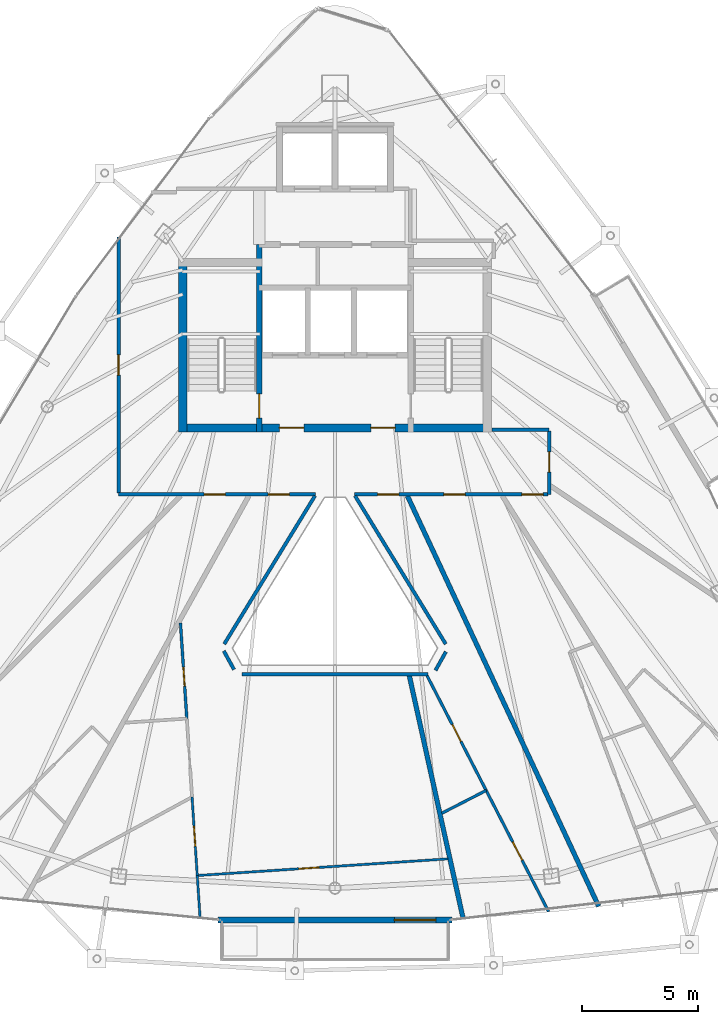
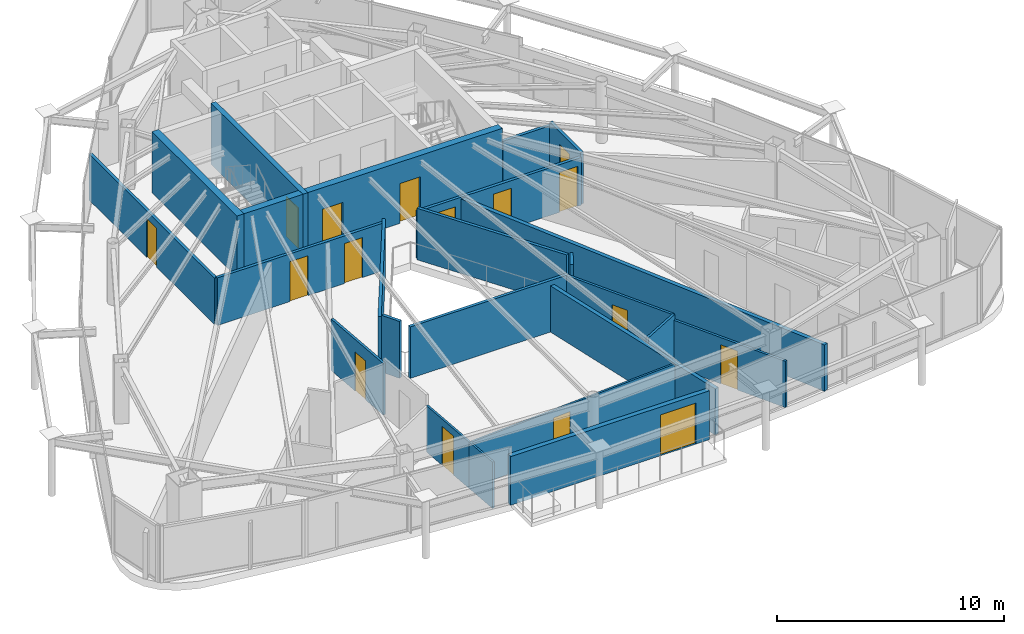
# One storey, part 25 of 29: 23 walls, 16 doors, 16 openings.
"""IFC4 building model written with IfcOpenShell, lengths in metres."""

from ifc_helpers import new_model, si_unit, direction, frame, frame_2d, origin, place, context, subcontext, project, spatial, rectangle, extrude, material, layer, layer_set, type_object, element, fill, save


model = new_model("IFC4")

# Units and contexts
model_context = context("Model", 3, precision=1e-05, world=origin(), true_north=direction((0.0, 1.0)))
body_context = subcontext(model_context, "Body", "Model", "MODEL_VIEW")
ifc_project = project(units=[si_unit("LENGTHUNIT", "METRE"), si_unit("AREAUNIT", "SQUARE_METRE"), si_unit("VOLUMEUNIT", "CUBIC_METRE"), si_unit("PLANEANGLEUNIT", "RADIAN"), si_unit("MASSUNIT", "GRAM", prefix="KILO")], contexts=[model_context])

# Site, building, storey
site_placement = place(None, origin())
site = spatial("IfcSite", under=ifc_project, at=site_placement, CompositionType="ELEMENT")
building_placement = place(site_placement, origin())
building = spatial("IfcBuilding", under=site, at=building_placement, Name="Orvanel Arch Residences", CompositionType="ELEMENT")
storey_placement = place(building_placement, frame((0.0, 0.0, 256.85009765625)))
storey = spatial("IfcBuildingStorey", under=building, at=storey_placement, Name="L73", CompositionType="ELEMENT", Elevation=256.85009765625)

# Wall, opening, door
ifc_material_1 = material(Name="Precast concrete N50 (50 MPa)", Category="concrete")
ifc_layer_1 = layer(ifc_material_1, 0.239990234375)
ifc_layer_set_1 = layer_set([ifc_layer_1], Name="Precast concrete N50 (50 MPa)")
wall_type_1 = type_object("IfcWallType", Name="EW-BAL-240", PredefinedType="SOLIDWALL", material=ifc_layer_set_1)
wall_1_placement = place(storey_placement, frame((27.94091796875, 5.469970703125, 0.0), z_axis=(0.0, 0.0, 1.0), x_axis=(1.0, 0.0, 0.0)))
wall_1 = element("IfcWall", 1, at=wall_1_placement, inside=storey, type_object=wall_type_1, Name="L73 Balcony Threshold Wall Face 2", PredefinedType="SOLIDWALL", context=body_context, shape_type="SweptSolid", body=[
    extrude(rectangle(XDim=10.1181640625, YDim=0.239990234375, at=frame_2d((5.05908203125, 0.0))), origin(), (0.0, 0.0, 1.0), 2.6240234375),
])
opening_1_placement = place(wall_1_placement, frame((7.6201171875, 0.0, 0.0)))
opening_1 = element("IfcOpeningElement", 2, at=opening_1_placement, cuts=wall_1, Name="Opening DB-180", PredefinedType="OPENING", context=body_context, shape_type="SweptSolid", body=[
    extrude(rectangle(XDim=1.800048828125, YDim=2.199951171875, at=frame_2d((0.89990234375, 1.10009765625))), frame((0.0, 0.1298828125, 0.0), z_axis=(0.0, -1.0, 0.0), x_axis=(1.0, 0.0, 0.0)), (0.0, 0.0, 1.0), 0.260009765625),
])
ifc_material_2 = material(Name="Bronze-anodised aluminium AA6063-T6", Category="aluminium")
door_type_1 = type_object("IfcDoorType", Name="DR-BAL-1800", OperationType="NOTDEFINED", PredefinedType="DOOR", material=ifc_material_2)
door_1_placement = place(opening_1_placement, origin())
door_1 = element("IfcDoor", 3, at=door_1_placement, inside=storey, type_object=door_type_1, Name="DR-L73-BAL-F2 L73 Planted Balcony Access Door Face 2", OperationType="SINGLE_SWING_LEFT", OverallHeight=2.199951171875, OverallWidth=1.800048828125, PredefinedType="DOOR", context=body_context, shape_type="SweptSolid", body=[
    extrude(rectangle(XDim=1.800048828125, YDim=2.199951171875, at=frame_2d((0.89990234375, 1.10009765625))), frame((0.0, 0.02490234375, 0.0), z_axis=(0.0, -1.0, 0.0), x_axis=(1.0, 0.0, 0.0)), (0.0, 0.0, 1.0), 0.050048828125),
])
fill(opening_1, door_1)

ifc_material_3 = material(Name="Concrete N50 (50 MPa)", Category="concrete")
ifc_layer_2 = layer(ifc_material_3, 0.25)
ifc_layer_set_2 = layer_set([ifc_layer_2], Name="Concrete N50 (50 MPa)")
wall_type_2 = type_object("IfcWallType", Name="SW-CORE-250", PredefinedType="SHEAR", material=ifc_layer_set_2)
wall_2_placement = place(storey_placement, frame((29.72509765625, 26.550048828125, 0.0), z_axis=(0.0, 0.0, 1.0), x_axis=(0.0, 1.0, 0.0)))
wall_2 = element("IfcWall", 4, at=wall_2_placement, inside=storey, type_object=wall_type_2, Name="L73 West Inner Core Spine Shear Wall", PredefinedType="SHEAR", context=body_context, shape_type="SweptSolid", body=[
    extrude(rectangle(XDim=8.099853515625, YDim=0.25, at=frame_2d((4.0498046875, 0.0))), origin(), (0.0, 0.0, 1.0), 3.2998046875),
])
opening_2_placement = place(wall_2_placement, frame((0.60009765625, 0.0, 0.0)))
opening_2 = element("IfcOpeningElement", 5, at=opening_2_placement, cuts=wall_2, Name="Opening DF-120", PredefinedType="OPENING", context=body_context, shape_type="SweptSolid", body=[
    extrude(rectangle(XDim=1.050048828125, YDim=2.14990234375, at=frame_2d((0.52490234375, 1.074951171875))), frame((0.0, 0.135009765625, 0.0), z_axis=(0.0, -1.0, 0.0), x_axis=(1.0, 0.0, 0.0)), (0.0, 0.0, 1.0), 0.27001953125),
])
ifc_material_4 = material(Name="Galvanised steel fire-resisting door assembly", Category="steel")
door_type_2 = type_object("IfcDoorType", Name="DR-FD120-1050", OperationType="NOTDEFINED", PredefinedType="DOOR", material=ifc_material_4)
door_2_placement = place(opening_2_placement, origin())
door_2 = element("IfcDoor", 6, at=door_2_placement, inside=storey, type_object=door_type_2, Name="DR-L73-ST1 L73 Stair 1 Fire Door", OperationType="SINGLE_SWING_LEFT", OverallHeight=2.14990234375, OverallWidth=1.050048828125, PredefinedType="DOOR", context=body_context, shape_type="SweptSolid", body=[
    extrude(rectangle(XDim=1.050048828125, YDim=2.14990234375, at=frame_2d((0.52490234375, 1.074951171875))), frame((0.0, 0.02490234375, 0.0), z_axis=(0.0, -1.0, 0.0), x_axis=(1.0, 0.0, 0.0)), (0.0, 0.0, 1.0), 0.050048828125),
])
fill(opening_2, door_2)

# Wall, openings, doors
ifc_layer_3 = layer(ifc_material_3, 0.35009765625)
ifc_layer_set_3 = layer_set([ifc_layer_3], Name="Concrete N50 (50 MPa)")
wall_type_3 = type_object("IfcWallType", Name="SW-CORE-350", PredefinedType="SHEAR", material=ifc_layer_set_3)
wall_3_placement = place(storey_placement, frame((26.25, 26.72509765625, 0.0), z_axis=(0.0, 0.0, 1.0), x_axis=(1.0, 0.0, 0.0)))
wall_3 = element("IfcWall", 7, at=wall_3_placement, inside=storey, type_object=wall_type_3, Name="L73 South Core Shear Wall", PredefinedType="SHEAR", context=body_context, shape_type="SweptSolid", body=[
    extrude(rectangle(XDim=13.5, YDim=0.35009765625, at=frame_2d((6.75, 0.0))), origin(), (0.0, 0.0, 1.0), 3.2998046875),
])
opening_3_placement = place(wall_3_placement, frame((4.35009765625, 0.0, 0.0)))
opening_3 = element("IfcOpeningElement", 8, at=opening_3_placement, cuts=wall_3, Name="Opening DF-060", PredefinedType="OPENING", context=body_context, shape_type="SweptSolid", body=[
    extrude(rectangle(XDim=1.050048828125, YDim=2.14990234375, at=frame_2d((0.52490234375, 1.074951171875))), frame((0.0, 0.18505859375, 0.0), z_axis=(0.0, -1.0, 0.0), x_axis=(1.0, 0.0, 0.0)), (0.0, 0.0, 1.0), 0.3701171875),
])
opening_4_placement = place(wall_3_placement, frame((8.300048828125, 0.0, 0.0)))
opening_4 = element("IfcOpeningElement", 9, at=opening_4_placement, cuts=wall_3, Name="Opening DF-060", PredefinedType="OPENING", context=body_context, shape_type="SweptSolid", body=[
    extrude(rectangle(XDim=1.050048828125, YDim=2.14990234375, at=frame_2d((0.52490234375, 1.074951171875))), frame((0.0, 0.18505859375, 0.0), z_axis=(0.0, -1.0, 0.0), x_axis=(1.0, 0.0, 0.0)), (0.0, 0.0, 1.0), 0.3701171875),
])
door_type_3 = type_object("IfcDoorType", Name="DR-FD60-1050", OperationType="NOTDEFINED", PredefinedType="DOOR", material=ifc_material_4)
door_3_placement = place(opening_3_placement, origin())
door_3 = element("IfcDoor", 10, at=door_3_placement, inside=storey, type_object=door_type_3, Name="DR-L73-FFL-W L73 West Smoke Lobby Door", OperationType="SINGLE_SWING_LEFT", OverallHeight=2.14990234375, OverallWidth=1.050048828125, PredefinedType="DOOR", context=body_context, shape_type="SweptSolid", body=[
    extrude(rectangle(XDim=1.050048828125, YDim=2.14990234375, at=frame_2d((0.52490234375, 1.074951171875))), frame((0.0, 0.02490234375, 0.0), z_axis=(0.0, -1.0, 0.0), x_axis=(1.0, 0.0, 0.0)), (0.0, 0.0, 1.0), 0.050048828125),
])
fill(opening_3, door_3)
door_4_placement = place(opening_4_placement, origin())
door_4 = element("IfcDoor", 11, at=door_4_placement, inside=storey, type_object=door_type_3, Name="DR-L73-FFL-E L73 East Smoke Lobby Door", OperationType="SINGLE_SWING_RIGHT", OverallHeight=2.14990234375, OverallWidth=1.050048828125, PredefinedType="DOOR", context=body_context, shape_type="SweptSolid", body=[
    extrude(rectangle(XDim=1.050048828125, YDim=2.14990234375, at=frame_2d((0.52490234375, 1.074951171875))), frame((0.0, 0.02490234375, 0.0), z_axis=(0.0, -1.0, 0.0), x_axis=(1.0, 0.0, 0.0)), (0.0, 0.0, 1.0), 0.050048828125),
])
fill(opening_4, door_4)

# Wall
wall_4_placement = place(storey_placement, frame((26.425048828125, 26.550048828125, 0.0), z_axis=(0.0, 0.0, 1.0), x_axis=(0.0, 1.0, 0.0)))
element("IfcWall", 12, at=wall_4_placement, inside=storey, type_object=wall_type_3, Name="L73 West Stair Shear Wall", PredefinedType="SHEAR", context=body_context, shape_type="SweptSolid", body=[
    extrude(rectangle(XDim=7.5, YDim=0.35009765625, at=frame_2d((3.75, 0.0))), origin(), (0.0, 0.0, 1.0), 3.2998046875),
])

# Wall, openings, doors
ifc_material_5 = material(Name="Fire-rated plasterboard lined steel stud partition", Category="steel")
ifc_layer_4 = layer(ifc_material_5, 0.14990234375)
ifc_layer_set_4 = layer_set([ifc_layer_4], Name="Fire-rated plasterboard lined steel stud partition")
wall_type_4 = type_object("IfcWallType", Name="W-COR-150", PredefinedType="PARTITIONING", material=ifc_layer_set_4)
wall_5_placement = place(storey_placement, frame((32.1650390625, 23.85009765625, 0.0), z_axis=(0.0, 0.0, 1.0), x_axis=(-1.0, 0.0, 0.0)))
wall_5 = element("IfcWall", 13, at=wall_5_placement, inside=storey, type_object=wall_type_4, Name="L73 Corridor Fire-Rated Partition", PredefinedType="PARTITIONING", context=body_context, shape_type="SweptSolid", body=[
    extrude(rectangle(XDim=8.51513671875, YDim=0.14990234375, at=frame_2d((4.257568359375, 0.0))), origin(), (0.0, 0.0, 1.0), 2.56494140625),
])
opening_5_placement = place(wall_5_placement, frame((1.133056640625, 0.0, 0.0)))
opening_5 = element("IfcOpeningElement", 14, at=opening_5_placement, cuts=wall_5, Name="Opening DA-092", PredefinedType="OPENING", context=body_context, shape_type="SweptSolid", body=[
    extrude(rectangle(XDim=0.919921875, YDim=2.14990234375, at=frame_2d((0.4599609375, 1.074951171875))), frame((0.0, 0.0849609375, 0.0), z_axis=(0.0, -1.0, 0.0), x_axis=(1.0, 0.0, 0.0)), (0.0, 0.0, 1.0), 0.169921875),
])
opening_6_placement = place(wall_5_placement, frame((3.89599609375, 0.0, 0.0)))
opening_6 = element("IfcOpeningElement", 15, at=opening_6_placement, cuts=wall_5, Name="Opening DA-092", PredefinedType="OPENING", context=body_context, shape_type="SweptSolid", body=[
    extrude(rectangle(XDim=0.919921875, YDim=2.14990234375, at=frame_2d((0.4599609375, 1.074951171875))), frame((0.0, 0.0849609375, 0.0), z_axis=(0.0, -1.0, 0.0), x_axis=(1.0, 0.0, 0.0)), (0.0, 0.0, 1.0), 0.169921875),
])
ifc_material_6 = material(Name="Solid-core European oak veneer fire door leaf", Category="wood")
door_type_4 = type_object("IfcDoorType", Name="DR-APT-920", OperationType="NOTDEFINED", PredefinedType="DOOR", material=ifc_material_6)
door_5_placement = place(opening_5_placement, origin())
door_5 = element("IfcDoor", 16, at=door_5_placement, inside=storey, type_object=door_type_4, Name="DR-L73-A-ENT L73 Studio A Entrance Door", OperationType="SINGLE_SWING_RIGHT", OverallHeight=2.14990234375, OverallWidth=0.919921875, PredefinedType="DOOR", context=body_context, shape_type="SweptSolid", body=[
    extrude(rectangle(XDim=0.919921875, YDim=2.14990234375, at=frame_2d((0.4599609375, 1.074951171875))), frame((0.0, 0.02490234375, 0.0), z_axis=(0.0, -1.0, 0.0), x_axis=(1.0, 0.0, 0.0)), (0.0, 0.0, 1.0), 0.050048828125),
])
fill(opening_5, door_5)
door_6_placement = place(opening_6_placement, origin())
door_6 = element("IfcDoor", 17, at=door_6_placement, inside=storey, type_object=door_type_4, Name="DR-L73-D-ENT L73 Studio D Entrance Door", OperationType="SINGLE_SWING_LEFT", OverallHeight=2.14990234375, OverallWidth=0.919921875, PredefinedType="DOOR", context=body_context, shape_type="SweptSolid", body=[
    extrude(rectangle(XDim=0.919921875, YDim=2.14990234375, at=frame_2d((0.4599609375, 1.074951171875))), frame((0.0, 0.02490234375, 0.0), z_axis=(0.0, -1.0, 0.0), x_axis=(1.0, 0.0, 0.0)), (0.0, 0.0, 1.0), 0.050048828125),
])
fill(opening_6, door_6)

# Wall, opening, door
wall_6_placement = place(storey_placement, frame((23.64990234375, 23.909912109375, 0.0), z_axis=(0.0, 0.0, 1.0), x_axis=(0.0, 1.0, 0.0)))
wall_6 = element("IfcWall", 18, at=wall_6_placement, inside=storey, type_object=wall_type_4, Name="L73 Corridor Fire-Rated Partition", PredefinedType="PARTITIONING", context=body_context, shape_type="SweptSolid", body=[
    extrude(rectangle(XDim=11.05908203125, YDim=0.14990234375, at=frame_2d((5.529541015625, 0.0))), origin(), (0.0, 0.0, 1.0), 2.491943359375),
])
opening_7_placement = place(wall_6_placement, frame((5.090087890625, 0.0, 0.0)))
opening_7 = element("IfcOpeningElement", 19, at=opening_7_placement, cuts=wall_6, Name="Opening DI-088", PredefinedType="OPENING", context=body_context, shape_type="SweptSolid", body=[
    extrude(rectangle(XDim=0.8798828125, YDim=2.10009765625, at=frame_2d((0.43994140625, 1.050048828125))), frame((0.0, 0.0849609375, 0.0), z_axis=(0.0, -1.0, 0.0), x_axis=(1.0, 0.0, 0.0)), (0.0, 0.0, 1.0), 0.169921875),
])
door_type_5 = type_object("IfcDoorType", Name="DR-INT-880", OperationType="NOTDEFINED", PredefinedType="DOOR", material=ifc_material_6)
door_7_placement = place(opening_7_placement, origin())
door_7 = element("IfcDoor", 20, at=door_7_placement, inside=storey, type_object=door_type_5, Name="DR-L73-SHRD-FB3 L73 Co-Working Study Office C Door", OperationType="SINGLE_SWING_LEFT", OverallHeight=2.10009765625, OverallWidth=0.8798828125, PredefinedType="DOOR", context=body_context, shape_type="SweptSolid", body=[
    extrude(rectangle(XDim=0.8798828125, YDim=2.10009765625, at=frame_2d((0.43994140625, 1.050048828125))), frame((0.0, 0.02490234375, 0.0), z_axis=(0.0, -1.0, 0.0), x_axis=(1.0, 0.0, 0.0)), (0.0, 0.0, 1.0), 0.050048828125),
])
fill(opening_7, door_7)

# Wall
wall_7_placement = place(storey_placement, frame((39.7900390625, 26.64990234375, 0.0), z_axis=(0.0, 0.0, 1.0), x_axis=(1.0, 0.0, 0.0)))
element("IfcWall", 21, at=wall_7_placement, inside=storey, type_object=wall_type_4, Name="L73 Corridor Fire-Rated Partition", PredefinedType="PARTITIONING", context=body_context, shape_type="SweptSolid", body=[
    extrude(rectangle(XDim=2.4599609375, YDim=0.14990234375, at=frame_2d((1.22998046875, 0.0))), origin(), (0.0, 0.0, 1.0), 2.56494140625),
])

# Wall, opening, door
wall_8_placement = place(storey_placement, frame((42.25, 26.590087890625, 0.0), z_axis=(0.0, 0.0, 1.0), x_axis=(0.0, -1.0, 0.0)))
wall_8 = element("IfcWall", 22, at=wall_8_placement, inside=storey, type_object=wall_type_4, Name="L73 Corridor Fire-Rated Partition", PredefinedType="PARTITIONING", context=body_context, shape_type="SweptSolid", body=[
    extrude(rectangle(XDim=2.739990234375, YDim=0.14990234375, at=frame_2d((1.3701171875, 0.0))), origin(), (0.0, 0.0, 1.0), 2.77294921875),
])
opening_8_placement = place(wall_8_placement, frame((0.89697265625, 0.0, 0.0)))
opening_8 = element("IfcOpeningElement", 23, at=opening_8_placement, cuts=wall_8, Name="Opening DI-088", PredefinedType="OPENING", context=body_context, shape_type="SweptSolid", body=[
    extrude(rectangle(XDim=0.8798828125, YDim=2.10009765625, at=frame_2d((0.43994140625, 1.050048828125))), frame((0.0, 0.0849609375, 0.0), z_axis=(0.0, -1.0, 0.0), x_axis=(1.0, 0.0, 0.0)), (0.0, 0.0, 1.0), 0.169921875),
])
door_8_placement = place(opening_8_placement, origin())
door_8 = element("IfcDoor", 24, at=door_8_placement, inside=storey, type_object=door_type_5, Name="DR-L73-SHRD-FB2 L73 Co-Working Study Office B Door", OperationType="SINGLE_SWING_LEFT", OverallHeight=2.10009765625, OverallWidth=0.8798828125, PredefinedType="DOOR", context=body_context, shape_type="SweptSolid", body=[
    extrude(rectangle(XDim=0.8798828125, YDim=2.10009765625, at=frame_2d((0.43994140625, 1.050048828125))), frame((0.0, 0.02490234375, 0.0), z_axis=(0.0, -1.0, 0.0), x_axis=(1.0, 0.0, 0.0)), (0.0, 0.0, 1.0), 0.050048828125),
])
fill(opening_8, door_8)

# Wall, openings, doors
wall_9_placement = place(storey_placement, frame((42.18994140625, 23.85009765625, 0.0), z_axis=(0.0, 0.0, 1.0), x_axis=(-1.0, 0.0, 0.0)))
wall_9 = element("IfcWall", 25, at=wall_9_placement, inside=storey, type_object=wall_type_4, Name="L73 Corridor Fire-Rated Partition", PredefinedType="PARTITIONING", context=body_context, shape_type="SweptSolid", body=[
    extrude(rectangle(XDim=8.35498046875, YDim=0.14990234375, at=frame_2d((4.177490234375, 0.0))), origin(), (0.0, 0.0, 1.0), 2.56494140625),
])
opening_9_placement = place(wall_9_placement, frame((0.199951171875, 0.0, 0.0)))
opening_9 = element("IfcOpeningElement", 26, at=opening_9_placement, cuts=wall_9, Name="Opening DA-092", PredefinedType="OPENING", context=body_context, shape_type="SweptSolid", body=[
    extrude(rectangle(XDim=0.919921875, YDim=2.14990234375, at=frame_2d((0.4599609375, 1.074951171875))), frame((0.0, 0.0849609375, 0.0), z_axis=(0.0, -1.0, 0.0), x_axis=(1.0, 0.0, 0.0)), (0.0, 0.0, 1.0), 0.169921875),
])
opening_10_placement = place(wall_9_placement, frame((3.56591796875, 0.0, 0.0)))
opening_10 = element("IfcOpeningElement", 27, at=opening_10_placement, cuts=wall_9, Name="Opening DA-092", PredefinedType="OPENING", context=body_context, shape_type="SweptSolid", body=[
    extrude(rectangle(XDim=0.919921875, YDim=2.14990234375, at=frame_2d((0.4599609375, 1.074951171875))), frame((0.0, 0.0849609375, 0.0), z_axis=(0.0, -1.0, 0.0), x_axis=(1.0, 0.0, 0.0)), (0.0, 0.0, 1.0), 0.169921875),
])
opening_11_placement = place(wall_9_placement, frame((6.431884765625, 0.0, 0.0)))
opening_11 = element("IfcOpeningElement", 28, at=opening_11_placement, cuts=wall_9, Name="Opening DA-092", PredefinedType="OPENING", context=body_context, shape_type="SweptSolid", body=[
    extrude(rectangle(XDim=0.919921875, YDim=2.14990234375, at=frame_2d((0.4599609375, 1.074951171875))), frame((0.0, 0.0849609375, 0.0), z_axis=(0.0, -1.0, 0.0), x_axis=(1.0, 0.0, 0.0)), (0.0, 0.0, 1.0), 0.169921875),
])
door_9_placement = place(opening_9_placement, origin())
door_9 = element("IfcDoor", 29, at=door_9_placement, inside=storey, type_object=door_type_4, Name="DR-L73-E-ENT L73 Studio E Entrance Door", OperationType="SINGLE_SWING_RIGHT", OverallHeight=2.14990234375, OverallWidth=0.919921875, PredefinedType="DOOR", context=body_context, shape_type="SweptSolid", body=[
    extrude(rectangle(XDim=0.919921875, YDim=2.14990234375, at=frame_2d((0.4599609375, 1.074951171875))), frame((0.0, 0.02490234375, 0.0), z_axis=(0.0, -1.0, 0.0), x_axis=(1.0, 0.0, 0.0)), (0.0, 0.0, 1.0), 0.050048828125),
])
fill(opening_9, door_9)
door_10_placement = place(opening_10_placement, origin())
door_10 = element("IfcDoor", 30, at=door_10_placement, inside=storey, type_object=door_type_4, Name="DR-L73-F-ENT L73 Studio F Entrance Door", OperationType="SINGLE_SWING_LEFT", OverallHeight=2.14990234375, OverallWidth=0.919921875, PredefinedType="DOOR", context=body_context, shape_type="SweptSolid", body=[
    extrude(rectangle(XDim=0.919921875, YDim=2.14990234375, at=frame_2d((0.4599609375, 1.074951171875))), frame((0.0, 0.02490234375, 0.0), z_axis=(0.0, -1.0, 0.0), x_axis=(1.0, 0.0, 0.0)), (0.0, 0.0, 1.0), 0.050048828125),
])
fill(opening_10, door_10)
door_11_placement = place(opening_11_placement, origin())
door_11 = element("IfcDoor", 31, at=door_11_placement, inside=storey, type_object=door_type_4, Name="DR-L73-G-ENT L73 Studio G Entrance Door", OperationType="SINGLE_SWING_RIGHT", OverallHeight=2.14990234375, OverallWidth=0.919921875, PredefinedType="DOOR", context=body_context, shape_type="SweptSolid", body=[
    extrude(rectangle(XDim=0.919921875, YDim=2.14990234375, at=frame_2d((0.4599609375, 1.074951171875))), frame((0.0, 0.02490234375, 0.0), z_axis=(0.0, -1.0, 0.0), x_axis=(1.0, 0.0, 0.0)), (0.0, 0.0, 1.0), 0.050048828125),
])
fill(opening_11, door_11)

# Walls
wall_10_placement = place(storey_placement, frame((33.865966796875, 23.7900390625, 0.0), z_axis=(0.0, 0.0, 1.0), x_axis=(0.522011859837, -0.852938226479, 0.0)))
element("IfcWall", 32, at=wall_10_placement, inside=storey, type_object=wall_type_4, Name="L73 Atrium Overlook Glazed Partition", PredefinedType="PARTITIONING", context=body_context, shape_type="SweptSolid", body=[
    extrude(rectangle(XDim=7.503662109375, YDim=0.14990234375, at=frame_2d((3.751953125, 0.0))), origin(), (0.0, 0.0, 1.0), 2.77294921875),
])
wall_11_placement = place(storey_placement, frame((37.7890625, 17.053955078125, 0.0), z_axis=(0.0, 0.0, 1.0), x_axis=(-0.488935266506, -0.872320070368, 0.0)))
element("IfcWall", 33, at=wall_11_placement, inside=storey, type_object=wall_type_4, Name="L73 Atrium Overlook Glazed Partition", PredefinedType="PARTITIONING", context=body_context, shape_type="SweptSolid", body=[
    extrude(rectangle(XDim=0.918212890625, YDim=0.14990234375, at=frame_2d((0.458984375, 0.0))), origin(), (0.0, 0.0, 1.0), 3.059814453125),
])
wall_12_placement = place(storey_placement, frame((37.011962890625, 16.08203125, 0.0), z_axis=(0.0, 0.0, 1.0), x_axis=(-1.0, 0.0, 0.0)))
element("IfcWall", 34, at=wall_12_placement, inside=storey, type_object=wall_type_4, Name="L73 Atrium Overlook Glazed Partition", PredefinedType="PARTITIONING", context=body_context, shape_type="SweptSolid", body=[
    extrude(rectangle(XDim=8.02392578125, YDim=0.14990234375, at=frame_2d((4.011962890625, 0.0))), origin(), (0.0, 0.0, 1.0), 2.77294921875),
])
wall_13_placement = place(storey_placement, frame((28.638916015625, 16.285888671875, 0.0), z_axis=(0.0, 0.0, 1.0), x_axis=(-0.481571453054, 0.876406832244, 0.0)))
element("IfcWall", 35, at=wall_13_placement, inside=storey, type_object=wall_type_4, Name="L73 Atrium Overlook Glazed Partition", PredefinedType="PARTITIONING", context=body_context, shape_type="SweptSolid", body=[
    extrude(rectangle(XDim=0.917724609375, YDim=0.14990234375, at=frame_2d((0.458984375, 0.0))), origin(), (0.0, 0.0, 1.0), 3.059814453125),
])
wall_14_placement = place(storey_placement, frame((28.217041015625, 17.389892578125, 0.0), z_axis=(0.0, 0.0, 1.0), x_axis=(0.522011859837, 0.852938226479, 0.0)))
element("IfcWall", 36, at=wall_14_placement, inside=storey, type_object=wall_type_4, Name="L73 Atrium Overlook Glazed Partition", PredefinedType="PARTITIONING", context=body_context, shape_type="SweptSolid", body=[
    extrude(rectangle(XDim=7.503662109375, YDim=0.14990234375, at=frame_2d((3.751953125, 0.0))), origin(), (0.0, 0.0, 1.0), 2.77294921875),
])
ifc_layer_5 = layer(ifc_material_5, 0.199951171875)
ifc_layer_set_5 = layer_set([ifc_layer_5], Name="Fire-rated plasterboard lined steel stud partition")
wall_type_5 = type_object("IfcWallType", Name="W-DEM-200", PredefinedType="PARTITIONING", material=ifc_layer_set_5)
wall_15_placement = place(storey_placement, frame((36.2099609375, 16.02197265625, 0.0), z_axis=(0.0, 0.0, 1.0), x_axis=(0.216451711791, -0.976293325012, 0.0)))
element("IfcWall", 37, at=wall_15_placement, inside=storey, type_object=wall_type_5, Name="L73 Inter-Tenancy Acoustic Demising Wall", PredefinedType="PARTITIONING", context=body_context, shape_type="SweptSolid", body=[
    extrude(rectangle(XDim=10.74560546875, YDim=0.199951171875, at=frame_2d((5.372802734375, 0.0))), origin(), (0.0, 0.0, 1.0), 2.491943359375),
])
wall_16_placement = place(storey_placement, frame((44.39111328125, 6.05810546875, 0.0), z_axis=(0.0, 0.0, 1.0), x_axis=(-0.422434507673, 0.906393450289, 0.0)))
element("IfcWall", 38, at=wall_16_placement, inside=storey, type_object=wall_type_5, Name="L73 Inter-Tenancy Acoustic Demising Wall", PredefinedType="PARTITIONING", context=body_context, shape_type="SweptSolid", body=[
    extrude(rectangle(XDim=19.563232421875, YDim=0.199951171875, at=frame_2d((9.78173828125, 0.0))), origin(), (0.0, 0.0, 1.0), 2.491943359375),
])

# Wall, opening, door
ifc_material_7 = material(Name="Acoustic plasterboard lined twin-stud partition", Category="gypsum")
ifc_layer_6 = layer(ifc_material_7, 0.10009765625)
ifc_layer_set_6 = layer_set([ifc_layer_6], Name="Acoustic plasterboard lined twin-stud partition")
wall_type_6 = type_object("IfcWallType", Name="W-INT-100", PredefinedType="PARTITIONING", material=ifc_layer_set_6)
wall_17_placement = place(storey_placement, frame((37.876953125, 8.110107421875, 0.0), z_axis=(0.0, 0.0, 1.0), x_axis=(-0.997794804299, -0.066374155471, 0.0)))
wall_17 = element("IfcWall", 39, at=wall_17_placement, inside=storey, type_object=wall_type_6, Name="L73 Studio A Internal Partition", PredefinedType="PARTITIONING", context=body_context, shape_type="SweptSolid", body=[
    extrude(rectangle(XDim=10.850830078125, YDim=0.10009765625, at=frame_2d((5.42529296875, 0.0))), origin(), (0.0, 0.0, 1.0), 2.491943359375),
])
opening_12_placement = place(wall_17_placement, frame((5.5810546875, 0.0, 0.0)))
opening_12 = element("IfcOpeningElement", 40, at=opening_12_placement, cuts=wall_17, Name="Opening DI-088", PredefinedType="OPENING", context=body_context, shape_type="SweptSolid", body=[
    extrude(rectangle(XDim=0.8798828125, YDim=2.10009765625, at=frame_2d((0.43994140625, 1.050048828125))), frame((0.0, 0.06005859375, 0.0), z_axis=(0.0, -1.0, 0.0), x_axis=(1.0, 0.0, 0.0)), (0.0, 0.0, 1.0), 0.1201171875),
])
door_12_placement = place(opening_12_placement, origin())
door_12 = element("IfcDoor", 41, at=door_12_placement, inside=storey, type_object=door_type_5, Name="DR-L73-A-STU1 L73 Studio A Private Study Room 1 Door", OperationType="SINGLE_SWING_LEFT", OverallHeight=2.10009765625, OverallWidth=0.8798828125, PredefinedType="DOOR", context=body_context, shape_type="SweptSolid", body=[
    extrude(rectangle(XDim=0.8798828125, YDim=2.10009765625, at=frame_2d((0.43994140625, 1.050048828125))), frame((0.0, 0.02490234375, 0.0), z_axis=(0.0, -1.0, 0.0), x_axis=(1.0, 0.0, 0.0)), (0.0, 0.0, 1.0), 0.050048828125),
])
fill(opening_12, door_12)

wall_18_placement = place(storey_placement, frame((27.050048828125, 7.389892578125, 0.0), z_axis=(0.0, 0.0, 1.0), x_axis=(-0.066251929929, 0.997802927326, 0.0)))
wall_18 = element("IfcWall", 42, at=wall_18_placement, inside=storey, type_object=wall_type_6, Name="L73 Studio A Internal Partition", PredefinedType="PARTITIONING", context=body_context, shape_type="SweptSolid", body=[
    extrude(rectangle(XDim=3.397705078125, YDim=0.10009765625, at=frame_2d((1.69873046875, 0.0))), origin(), (0.0, 0.0, 1.0), 2.491943359375),
])
opening_13_placement = place(wall_18_placement, frame((1.259033203125, 0.0, 0.0)))
opening_13 = element("IfcOpeningElement", 43, at=opening_13_placement, cuts=wall_18, Name="Opening DI-088", PredefinedType="OPENING", context=body_context, shape_type="SweptSolid", body=[
    extrude(rectangle(XDim=0.8798828125, YDim=2.10009765625, at=frame_2d((0.43994140625, 1.050048828125))), frame((0.0, 0.06005859375, 0.0), z_axis=(0.0, -1.0, 0.0), x_axis=(1.0, 0.0, 0.0)), (0.0, 0.0, 1.0), 0.1201171875),
])
door_13_placement = place(opening_13_placement, origin())
door_13 = element("IfcDoor", 44, at=door_13_placement, inside=storey, type_object=door_type_5, Name="DR-L73-A-STU2 L73 Studio A Private Study Room 2 Door", OperationType="SINGLE_SWING_LEFT", OverallHeight=2.10009765625, OverallWidth=0.8798828125, PredefinedType="DOOR", context=body_context, shape_type="SweptSolid", body=[
    extrude(rectangle(XDim=0.8798828125, YDim=2.10009765625, at=frame_2d((0.43994140625, 1.050048828125))), frame((0.0, 0.02490234375, 0.0), z_axis=(0.0, -1.0, 0.0), x_axis=(1.0, 0.0, 0.0)), (0.0, 0.0, 1.0), 0.050048828125),
])
fill(opening_13, door_13)

# Wall
wall_19_placement = place(storey_placement, frame((27.172119140625, 5.553955078125, 0.0), z_axis=(0.0, 0.0, 1.0), x_axis=(-0.066342877953, 0.997796884413, 0.0)))
element("IfcWall", 45, at=wall_19_placement, inside=storey, type_object=wall_type_6, Name="L73 Studio A Internal Partition", PredefinedType="PARTITIONING", context=body_context, shape_type="SweptSolid", body=[
    extrude(rectangle(XDim=1.840087890625, YDim=0.10009765625, at=frame_2d((0.919921875, 0.0))), origin(), (0.0, 0.0, 1.0), 2.491943359375),
])

# Wall, opening, door
ifc_layer_7 = layer(ifc_material_7, 0.1201171875)
ifc_layer_set_7 = layer_set([ifc_layer_7], Name="Acoustic plasterboard lined twin-stud partition")
wall_type_7 = type_object("IfcWallType", Name="W-WET-120", PredefinedType="PARTITIONING", material=ifc_layer_set_7)
wall_20_placement = place(storey_placement, frame((26.59912109375, 14.169921875, 0.0), z_axis=(0.0, 0.0, 1.0), x_axis=(-0.066334744758, 0.997797425151, 0.0)))
wall_20 = element("IfcWall", 46, at=wall_20_placement, inside=storey, type_object=wall_type_7, Name="L73 Studio A Bathroom Partition", PredefinedType="PARTITIONING", context=body_context, shape_type="SweptSolid", body=[
    extrude(rectangle(XDim=4.133056640625, YDim=0.1201171875, at=frame_2d((2.06640625, 0.0))), origin(), (0.0, 0.0, 1.0), 2.77294921875),
])
opening_14_placement = place(wall_20_placement, frame((1.408935546875, 0.0, 0.0)))
opening_14 = element("IfcOpeningElement", 47, at=opening_14_placement, cuts=wall_20, Name="Opening DW-082", PredefinedType="OPENING", context=body_context, shape_type="SweptSolid", body=[
    extrude(rectangle(XDim=0.820068359375, YDim=2.10009765625, at=frame_2d((0.41015625, 1.050048828125))), frame((0.0, 0.070068359375, 0.0), z_axis=(0.0, -1.0, 0.0), x_axis=(1.0, 0.0, 0.0)), (0.0, 0.0, 1.0), 0.14013671875),
])
door_type_6 = type_object("IfcDoorType", Name="DR-WET-820", OperationType="NOTDEFINED", PredefinedType="DOOR", material=ifc_material_6)
door_14_placement = place(opening_14_placement, origin())
door_14 = element("IfcDoor", 48, at=door_14_placement, inside=storey, type_object=door_type_6, Name="DR-L73-A-BATH L73 Studio A Bathroom Door", OperationType="SINGLE_SWING_RIGHT", OverallHeight=2.10009765625, OverallWidth=0.820068359375, PredefinedType="DOOR", context=body_context, shape_type="SweptSolid", body=[
    extrude(rectangle(XDim=0.820068359375, YDim=2.10009765625, at=frame_2d((0.41015625, 1.050048828125))), frame((0.0, 0.02490234375, 0.0), z_axis=(0.0, -1.0, 0.0), x_axis=(1.0, 0.0, 0.0)), (0.0, 0.0, 1.0), 0.050048828125),
])
fill(opening_14, door_14)

wall_21_placement = place(storey_placement, frame((39.529052734375, 11.06591796875, 0.0), z_axis=(0.0, 0.0, 1.0), x_axis=(-0.457798211716, 0.889056127221, 0.0)))
wall_21 = element("IfcWall", 49, at=wall_21_placement, inside=storey, type_object=wall_type_7, Name="L73 Studio G Bathroom Partition", PredefinedType="PARTITIONING", context=body_context, shape_type="SweptSolid", body=[
    extrude(rectangle(XDim=5.574462890625, YDim=0.1201171875, at=frame_2d((2.787109375, 0.0))), origin(), (0.0, 0.0, 1.0), 2.77294921875),
])
opening_15_placement = place(wall_21_placement, frame((2.376953125, 0.0, 0.0)))
opening_15 = element("IfcOpeningElement", 50, at=opening_15_placement, cuts=wall_21, Name="Opening DW-082", PredefinedType="OPENING", context=body_context, shape_type="SweptSolid", body=[
    extrude(rectangle(XDim=0.820068359375, YDim=2.10009765625, at=frame_2d((0.41015625, 1.050048828125))), frame((0.0, 0.070068359375, 0.0), z_axis=(0.0, -1.0, 0.0), x_axis=(1.0, 0.0, 0.0)), (0.0, 0.0, 1.0), 0.14013671875),
])
door_15_placement = place(opening_15_placement, origin())
door_15 = element("IfcDoor", 51, at=door_15_placement, inside=storey, type_object=door_type_6, Name="DR-L73-G-BATH L73 Studio G Bathroom Door", OperationType="SINGLE_SWING_RIGHT", OverallHeight=2.10009765625, OverallWidth=0.820068359375, PredefinedType="DOOR", context=body_context, shape_type="SweptSolid", body=[
    extrude(rectangle(XDim=0.820068359375, YDim=2.10009765625, at=frame_2d((0.41015625, 1.050048828125))), frame((0.0, 0.02490234375, 0.0), z_axis=(0.0, -1.0, 0.0), x_axis=(1.0, 0.0, 0.0)), (0.0, 0.0, 1.0), 0.050048828125),
])
fill(opening_15, door_15)

wall_22_placement = place(storey_placement, frame((42.22802734375, 5.825927734375, 0.0), z_axis=(0.0, 0.0, 1.0), x_axis=(-0.457901041138, 0.889003170143, 0.0)))
wall_22 = element("IfcWall", 52, at=wall_22_placement, inside=storey, type_object=wall_type_7, Name="L73 Studio G Internal Partition", PredefinedType="PARTITIONING", context=body_context, shape_type="SweptSolid", body=[
    extrude(rectangle(XDim=5.894287109375, YDim=0.1201171875, at=frame_2d((2.947265625, 0.0))), origin(), (0.0, 0.0, 1.0), 2.491943359375),
])
opening_16_placement = place(wall_22_placement, frame((2.507080078125, 0.0, 0.0)))
opening_16 = element("IfcOpeningElement", 53, at=opening_16_placement, cuts=wall_22, Name="Opening DI-088", PredefinedType="OPENING", context=body_context, shape_type="SweptSolid", body=[
    extrude(rectangle(XDim=0.8798828125, YDim=2.10009765625, at=frame_2d((0.43994140625, 1.050048828125))), frame((0.0, 0.070068359375, 0.0), z_axis=(0.0, -1.0, 0.0), x_axis=(1.0, 0.0, 0.0)), (0.0, 0.0, 1.0), 0.14013671875),
])
door_16_placement = place(opening_16_placement, origin())
door_16 = element("IfcDoor", 54, at=door_16_placement, inside=storey, type_object=door_type_5, Name="DR-L73-G-KIT L73 Studio G Kitchenette Door", OperationType="SINGLE_SWING_LEFT", OverallHeight=2.10009765625, OverallWidth=0.8798828125, PredefinedType="DOOR", context=body_context, shape_type="SweptSolid", body=[
    extrude(rectangle(XDim=0.8798828125, YDim=2.10009765625, at=frame_2d((0.43994140625, 1.050048828125))), frame((0.0, 0.02490234375, 0.0), z_axis=(0.0, -1.0, 0.0), x_axis=(1.0, 0.0, 0.0)), (0.0, 0.0, 1.0), 0.050048828125),
])
fill(opening_16, door_16)

# Wall
wall_23_placement = place(storey_placement, frame((39.529052734375, 11.06591796875, 0.0), z_axis=(0.0, 0.0, 1.0), x_axis=(-0.889105964634, -0.457701413207, 0.0)))
element("IfcWall", 55, at=wall_23_placement, inside=storey, type_object=wall_type_7, Name="L73 Studio G Bathroom Partition", PredefinedType="PARTITIONING", context=body_context, shape_type="SweptSolid", body=[
    extrude(rectangle(XDim=2.15380859375, YDim=0.1201171875, at=frame_2d((1.076904296875, 0.0))), origin(), (0.0, 0.0, 1.0), 2.77294921875),
])

save(model, "model.ifc")
